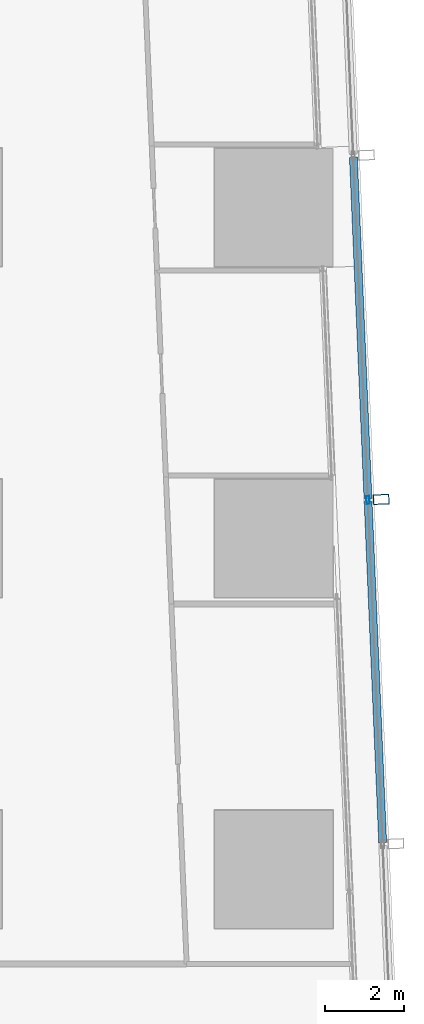
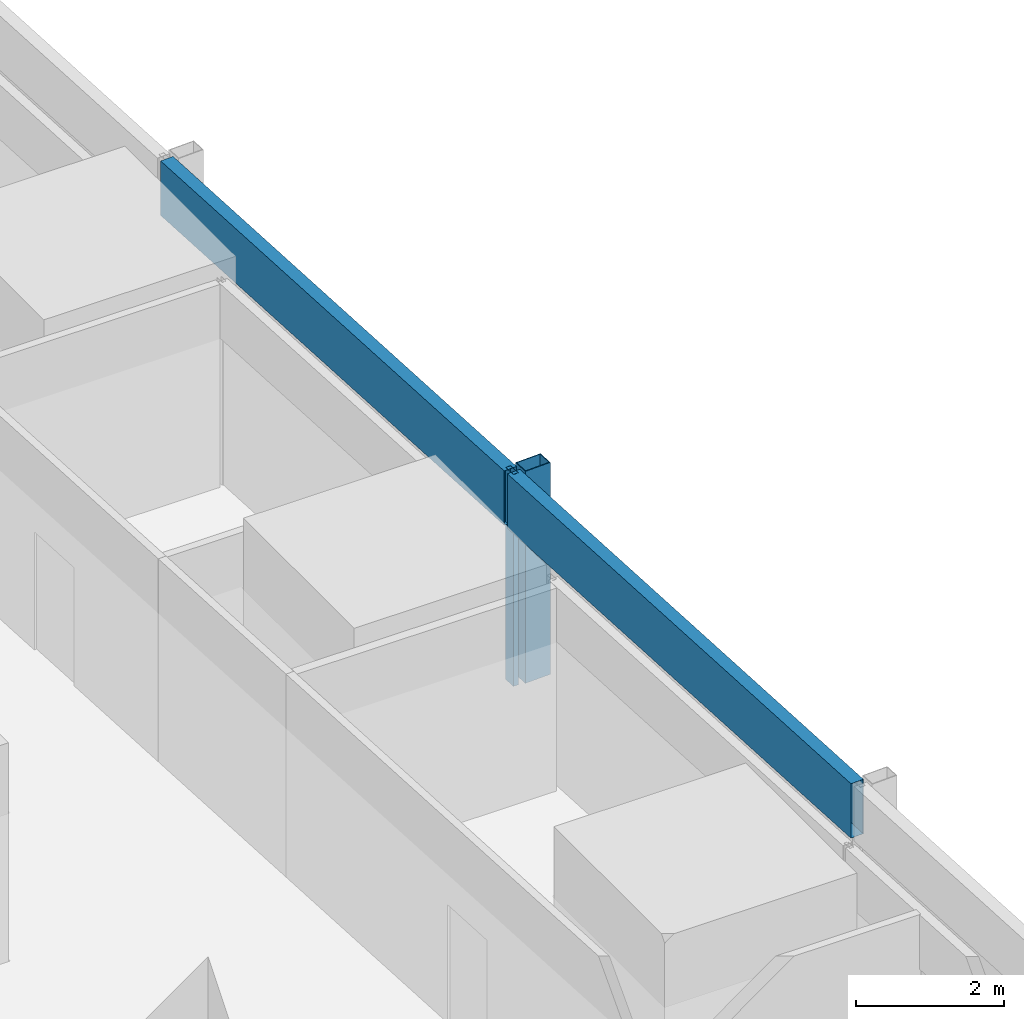
# One storey, part 28 of 45: 4 members, 1 element without a shape of its own.
"""IFC4 building model written with IfcOpenShell, lengths in metres."""

from ifc_helpers import new_model, si_unit, direction, frame, origin, origin_2d, place, context, subcontext, project, spatial, hollow_rectangle, extrude, material, material_profile, profile_set, type_object, element, aggregate, save


model = new_model("IFC4")

# Units and contexts
model_context = context("Model", 3, precision=1e-05, world=origin(), true_north=direction((0.0, 1.0)))
body_context = subcontext(model_context, "Body", "Model", "MODEL_VIEW")
ifc_project = project(units=[si_unit("LENGTHUNIT", "METRE"), si_unit("AREAUNIT", "SQUARE_METRE"), si_unit("VOLUMEUNIT", "CUBIC_METRE"), si_unit("PLANEANGLEUNIT", "RADIAN"), si_unit("MASSUNIT", "GRAM", prefix="KILO")], contexts=[model_context])

# Site, building, storey
site_placement = place(None, origin())
site = spatial("IfcSite", under=ifc_project, at=site_placement, CompositionType="ELEMENT")
building_placement = place(site_placement, origin())
building = spatial("IfcBuilding", under=site, at=building_placement, Name="Rekha Terrace Tower", CompositionType="ELEMENT")
storey_placement = place(building_placement, frame((0.0, 0.0, 77.89990234375)))
storey = spatial("IfcBuildingStorey", under=building, at=storey_placement, Name="L19", CompositionType="ELEMENT", Elevation=77.89990234375)

# Curtain wall, members
ifc_material_1 = material(Name="Aluminium framing", Category="aluminium")
curtain_wall_type = type_object("IfcCurtainWallType", Name="CW2 double skin outer glazing", PredefinedType="USERDEFINED", material=ifc_material_1)
curtain_wall_placement = place(storey_placement, origin())
curtain_wall = element("IfcCurtainWall", 1, at=curtain_wall_placement, inside=storey, type_object=curtain_wall_type, Name="CW2 double skin outer glazing", ObjectType="DOUBLE SKIN OUTER GLAZING", PredefinedType="USERDEFINED")
ifc_material_2 = material(Name="Steel S355 with fluorocarbon finish", Category="steel")
ifc_material_profile_1 = material_profile(ifc_material_2, hollow_rectangle(XDim=0.25, YDim=0.39990234375, WallThickness=0.012451171875, at=origin_2d()), Name="RHS400x250x12.5")
ifc_profile_set_1 = profile_set([ifc_material_profile_1], Name="Steel S355 with fluorocarbon finish")
member_type_1 = type_object("IfcMemberType", Name="BL1 facade blade RHS 400 x 250", PredefinedType="USERDEFINED", material=ifc_profile_set_1)
member_1_placement = place(storey_placement, frame((69.927734375, 42.989013671875, 0.0), z_axis=(0.0, 0.0, 1.0), x_axis=(-0.04269522475, 0.99908814315, 0.0)))
member_1 = element("IfcMember", 2, at=member_1_placement, type_object=member_type_1, Name="Facade blade", ObjectType="FACADE BLADE", PredefinedType="USERDEFINED", context=body_context, shape_type="SweptSolid", body=[
    extrude(hollow_rectangle(XDim=0.25, YDim=0.39990234375, WallThickness=0.012451171875, at=origin_2d()), origin(), (0.0, 0.0, 1.0), 3.5),
])
ifc_material_3 = material(Name="Aluminium mullion section", Category="aluminium")
ifc_material_profile_2 = material_profile(ifc_material_3, hollow_rectangle(XDim=0.080078125, YDim=0.199951171875, WallThickness=0.00390625, at=origin_2d()), Name="AL RHS 80x200")
ifc_profile_set_2 = profile_set([ifc_material_profile_2], Name="Aluminium mullion section")
member_type_2 = type_object("IfcMemberType", Name="CW2 mullion RHS 80 x 200", PredefinedType="MULLION", material=ifc_profile_set_2)
member_2_placement = place(storey_placement, frame((69.593017578125, 42.974609375, 0.0), z_axis=(0.0, 0.0, 1.0), x_axis=(-0.999088106903, -0.042696072956, 0.0)))
member_2 = element("IfcMember", 3, at=member_2_placement, type_object=member_type_2, Name="CW2 mullion 3", PredefinedType="MULLION", context=body_context, shape_type="SweptSolid", body=[
    extrude(hollow_rectangle(XDim=0.080078125, YDim=0.199951171875, WallThickness=0.00390625, at=origin_2d()), origin(), (0.0, 0.0, 1.0), 3.5),
])
ifc_material_4 = material(Name="Insulated aluminium spandrel box", Category="aluminium")
ifc_material_profile_3 = material_profile(ifc_material_4, hollow_rectangle(XDim=0.199951171875, YDim=0.89990234375, WallThickness=0.0029296875, at=origin_2d()), Name="AL SPANDREL BOX 200x900")
ifc_profile_set_3 = profile_set([ifc_material_profile_3], Name="Insulated aluminium spandrel box")
member_type_3 = type_object("IfcMemberType", Name="CW2 spandrel transom 200 x 900", PredefinedType="USERDEFINED", material=ifc_profile_set_3)
member_3_placement = place(storey_placement, frame((69.964599609375, 34.27880859375, 3.050048828125), z_axis=(-0.042692466729, 0.999088261008, 0.0), x_axis=(-0.999088261008, -0.042692466729, 0.0)))
member_3 = element("IfcMember", 4, at=member_3_placement, type_object=member_type_3, Name="CW2 spandrel transom 2", ObjectType="TRANSOM", PredefinedType="USERDEFINED", context=body_context, shape_type="SweptSolid", body=[
    extrude(hollow_rectangle(XDim=0.199951171875, YDim=0.89990234375, WallThickness=0.0029296875, at=origin_2d()), origin(), (0.0, 0.0, 1.0), 8.66357421875),
])
member_4_placement = place(storey_placement, frame((69.59130859375, 43.014404296875, 3.050048828125), z_axis=(-0.042691264793, 0.999088312368, 0.0), x_axis=(-0.999088312368, -0.042691264793, 0.0)))
member_4 = element("IfcMember", 5, at=member_4_placement, type_object=member_type_3, Name="CW2 spandrel transom 3", ObjectType="TRANSOM", PredefinedType="USERDEFINED", context=body_context, shape_type="SweptSolid", body=[
    extrude(hollow_rectangle(XDim=0.199951171875, YDim=0.89990234375, WallThickness=0.0029296875, at=origin_2d()), origin(), (0.0, 0.0, 1.0), 8.663818359375),
])
aggregate(curtain_wall, [member_2, member_3, member_4, member_1])

save(model, "model.ifc")
